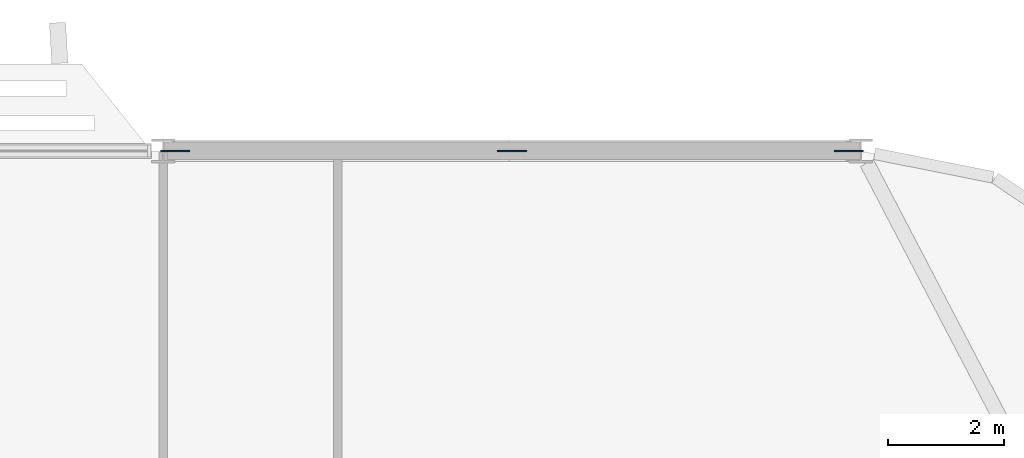
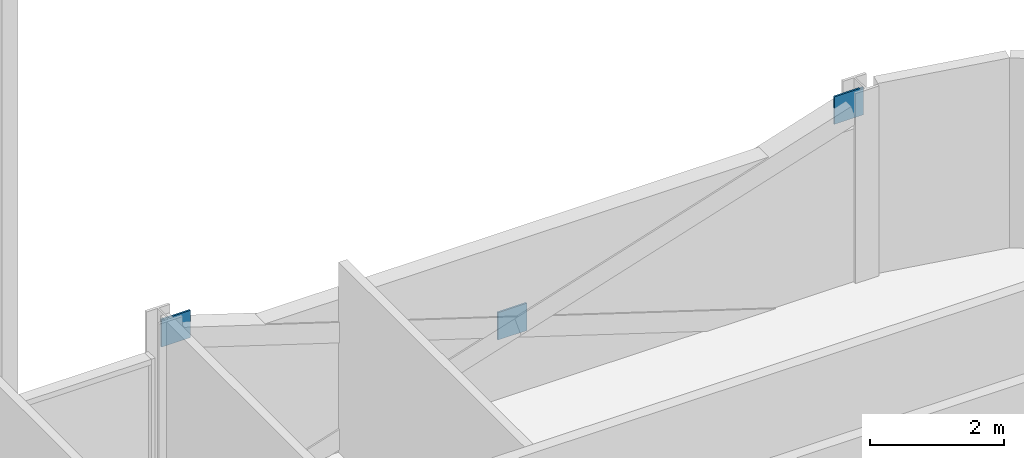
# One storey, part 22 of 28: 3 discrete accessories.
"""IFC4 building model written with IfcOpenShell, lengths in metres."""

from ifc_helpers import new_model, si_unit, direction, frame, origin, origin_2d, place, context, subcontext, project, spatial, rectangle, extrude, material, layer, layer_set, type_object, element, save


model = new_model("IFC4")

# Units and contexts
model_context = context("Model", 3, precision=1e-05, world=origin(), true_north=direction((0.0, 1.0)))
body_context = subcontext(model_context, "Body", "Model", "MODEL_VIEW")
ifc_project = project(units=[si_unit("LENGTHUNIT", "METRE"), si_unit("AREAUNIT", "SQUARE_METRE"), si_unit("VOLUMEUNIT", "CUBIC_METRE"), si_unit("PLANEANGLEUNIT", "RADIAN"), si_unit("MASSUNIT", "GRAM", prefix="KILO")], contexts=[model_context])

# Site, building, storey
site_placement = place(None, origin())
site = spatial("IfcSite", under=ifc_project, at=site_placement, CompositionType="ELEMENT")
building_placement = place(site_placement, origin())
building = spatial("IfcBuilding", under=site, at=building_placement, Name="Mahtab Terrace Research Tower", CompositionType="ELEMENT")
storey_placement = place(building_placement, frame((0.0, 0.0, 174.39990234375)))
storey = spatial("IfcBuildingStorey", under=building, at=storey_placement, Name="L41", CompositionType="ELEMENT", Elevation=174.39990234375)

# Discrete accessories
ifc_material = material(Name="Steel ASTM A992 Gr 50", Category="steel")
ifc_layer = layer(ifc_material, 0.030029296875)
ifc_layer_set = layer_set([ifc_layer], Name="Gusset plate 500x500x30")
discrete_accessory_type = type_object("IfcDiscreteAccessoryType", Name="Gusset plate 500x500x30", PredefinedType="USERDEFINED", material=ifc_layer_set)
for number, where, z_axis, x_axis, name in (
    (1, (30.203125, 23.0, 2.87109375), (0.0, 0.0, 1.0), (1.0, 0.0, 0.0), "Gusset plate"),
    (2, (36.0, 23.0, 0.970947265625), (0.0, 0.0, 1.0), (1.0, 0.0, 0.0), "Gusset plate"),
    (3, (41.796875, 23.0, 2.87109375), (0.0, 0.0, 1.0), (1.0, 0.0, 0.0), "Gusset plate"),
):
    element("IfcDiscreteAccessory", number, at=place(storey_placement, frame(where, z_axis=z_axis, x_axis=x_axis)), inside=storey, type_object=discrete_accessory_type, Name=name, ObjectType="GUSSET PLATE", PredefinedType="USERDEFINED", context=body_context, shape_type="SweptSolid", body=[
        extrude(rectangle(XDim=0.5, YDim=0.030029296875, at=origin_2d()), origin(), (0.0, 0.0, 1.0), 0.5),
    ])

save(model, "model.ifc")
